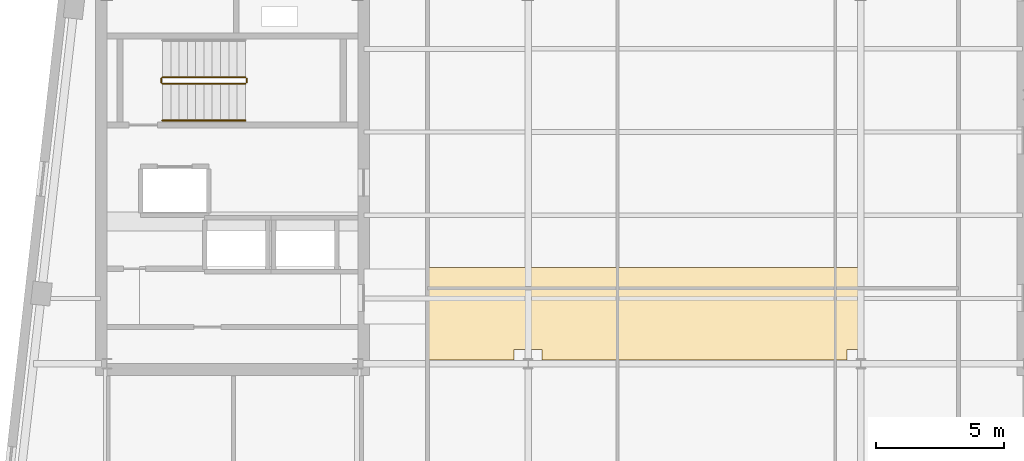
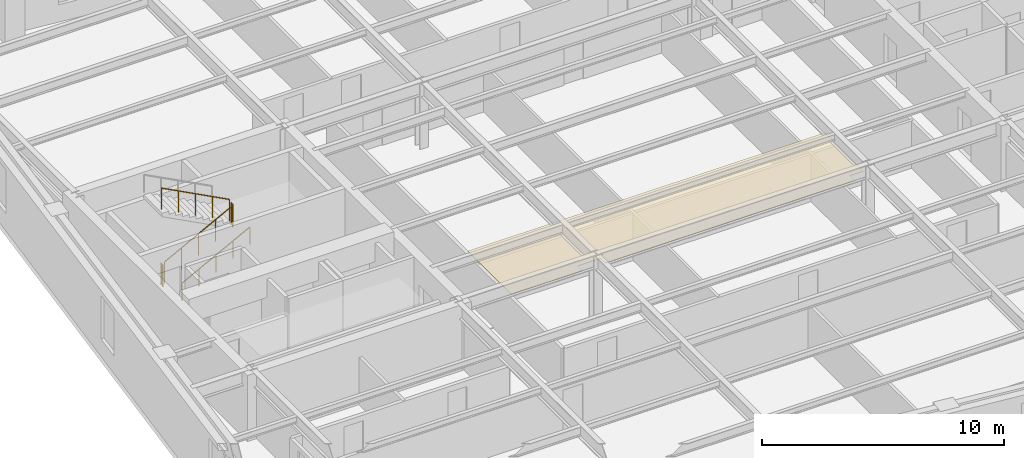
# One storey, part 11 of 13: 5 railings, 1 covering.
"""IFC4 building model written with IfcOpenShell, lengths in metres."""

from ifc_helpers import new_model, si_unit, direction, frame, origin, origin_2d, place, context, subcontext, project, spatial, polyline, circle, outline, extrude, material, layer, layer_set, type_object, element, save


model = new_model("IFC4")

# Units and contexts
model_context = context("Model", 3, precision=1e-05, world=origin(), true_north=direction((0.0, 1.0)))
body_context = subcontext(model_context, "Body", "Model", "MODEL_VIEW")
ifc_project = project(units=[si_unit("LENGTHUNIT", "METRE"), si_unit("AREAUNIT", "SQUARE_METRE"), si_unit("VOLUMEUNIT", "CUBIC_METRE"), si_unit("PLANEANGLEUNIT", "RADIAN"), si_unit("MASSUNIT", "GRAM", prefix="KILO")], contexts=[model_context])

# Site, building, storey
site_placement = place(None, origin())
site = spatial("IfcSite", under=ifc_project, at=site_placement, CompositionType="ELEMENT")
building_placement = place(site_placement, origin())
building = spatial("IfcBuilding", under=site, at=building_placement, Name="Kolvaren Arena Tower", CompositionType="ELEMENT")
storey_placement = place(building_placement, frame((0.0, 0.0, 265.949951171875)))
storey = spatial("IfcBuildingStorey", under=building, at=storey_placement, Name="L65", CompositionType="ELEMENT", Elevation=265.949951171875)

# Covering
ifc_material_1 = material(Name="Mineral fibre acoustic ceiling tile", Category="gypsum")
ifc_layer = layer(ifc_material_1, 0.02490234375)
ifc_layer_set = layer_set([ifc_layer], Name="Mineral fibre acoustic ceiling tile")
covering_type = type_object("IfcCoveringType", Name="CEIL-ACT-1", PredefinedType="CEILING", material=ifc_layer_set)
covering_placement = place(storey_placement, frame((0.0, 0.0, 2.52001953125)))
element("IfcCovering", 1, at=covering_placement, inside=storey, type_object=covering_type, Name="Suspended Ceiling (L65)", PredefinedType="CEILING", context=body_context, shape_type="SweptSolid", body=[
    extrude(outline(polyline([(27.050048828125, 19.60009765625), (27.050048828125, 23.199951171875), (44.10009765625, 23.199951171875), (44.10009765625, 20.0), (43.449951171875, 20.0), (43.449951171875, 19.60009765625), (31.550048828125, 19.60009765625), (31.550048828125, 20.0), (30.449951171875, 20.0), (30.449951171875, 19.60009765625), (27.050048828125, 19.60009765625)])), origin(), (0.0, 0.0, 1.0), 0.025146484375),
])

# Railings
ifc_material_2 = material(Name="Painted galvanized steel", Category="steel")
railing_type_1 = type_object("IfcRailingType", Name="GUARD-ST-110", PredefinedType="GUARDRAIL", material=ifc_material_2)
railing_1_placement = place(storey_placement, frame((16.719970703125, 30.389892578125, 0.17041015625)))
element("IfcRailing", 2, at=railing_1_placement, inside=storey, type_object=railing_type_1, Name="L65 ST-W1 stair guard 1", PredefinedType="GUARDRAIL", context=body_context, shape_type="SweptSolid", body=[
    extrude(circle(Radius=0.02392578125, at=origin_2d()), frame((0.0, 0.0, 1.076171875), z_axis=(0.884993431791, 0.0, 0.465603506952), x_axis=(0.0, 1.0, 0.0)), (0.0, 0.0, 1.0), 3.6611328125),
    extrude(circle(Radius=0.02099609375, at=origin_2d()), origin(), (0.0, 0.0, 1.0), 1.052001953125),
    extrude(circle(Radius=0.02099609375, at=origin_2d()), frame((0.81005859375, 0.0, 0.42626953125)), (0.0, 0.0, 1.0), 1.052001953125),
    extrude(circle(Radius=0.02099609375, at=origin_2d()), frame((1.6201171875, 0.0, 0.852294921875)), (0.0, 0.0, 1.0), 1.052001953125),
    extrude(circle(Radius=0.02099609375, at=origin_2d()), frame((2.429931640625, 0.0, 1.2783203125)), (0.0, 0.0, 1.0), 1.052001953125),
    extrude(circle(Radius=0.02099609375, at=origin_2d()), frame((3.239990234375, 0.0, 1.70458984375)), (0.0, 0.0, 1.0), 1.052001953125),
])
railing_2_placement = place(storey_placement, frame((20.010009765625, 30.43994140625, 1.875)))
element("IfcRailing", 3, at=railing_2_placement, inside=storey, type_object=railing_type_1, Name="L65 ST-W1 stair guard 2", PredefinedType="GUARDRAIL", context=body_context, shape_type="SweptSolid", body=[
    extrude(circle(Radius=0.02392578125, at=origin_2d()), frame((0.0, 0.0, 1.076171875), z_axis=(0.0, 1.0, 0.0), x_axis=(-1.0, 0.0, 0.0)), (0.0, 0.0, 1.0), 0.150146484375),
    extrude(circle(Radius=0.02099609375, at=origin_2d()), origin(), (0.0, 0.0, 1.0), 1.052001953125),
    extrude(circle(Radius=0.02099609375, at=origin_2d()), frame((0.0, 0.150146484375, 0.0)), (0.0, 0.0, 1.0), 1.052001953125),
])
railing_3_placement = place(storey_placement, frame((19.9599609375, 30.639892578125, 2.04541015625)))
element("IfcRailing", 4, at=railing_3_placement, inside=storey, type_object=railing_type_1, Name="L65 ST-W1 stair guard 3", PredefinedType="GUARDRAIL", context=body_context, shape_type="SweptSolid", body=[
    extrude(circle(Radius=0.02392578125, at=origin_2d()), frame((0.0, 0.0, 1.076171875), z_axis=(-0.884993431791, 0.0, 0.465603506952), x_axis=(0.0, -1.0, 0.0)), (0.0, 0.0, 1.0), 3.6611328125),
    extrude(circle(Radius=0.02099609375, at=origin_2d()), origin(), (0.0, 0.0, 1.0), 1.052001953125),
    extrude(circle(Radius=0.02099609375, at=origin_2d()), frame((-0.81005859375, 0.0, 0.42626953125)), (0.0, 0.0, 1.0), 1.052001953125),
    extrude(circle(Radius=0.02099609375, at=origin_2d()), frame((-1.6201171875, 0.0, 0.852294921875)), (0.0, 0.0, 1.0), 1.052001953125),
    extrude(circle(Radius=0.02099609375, at=origin_2d()), frame((-2.429931640625, 0.0, 1.2783203125)), (0.0, 0.0, 1.0), 1.052001953125),
    extrude(circle(Radius=0.02099609375, at=origin_2d()), frame((-3.239990234375, 0.0, 1.70458984375)), (0.0, 0.0, 1.0), 1.052001953125),
])
railing_4_placement = place(storey_placement, frame((16.669921875, 30.43994140625, 0.0)))
element("IfcRailing", 5, at=railing_4_placement, inside=storey, type_object=railing_type_1, Name="L65 ST-W1 stair guard 4", PredefinedType="GUARDRAIL", context=body_context, shape_type="SweptSolid", body=[
    extrude(circle(Radius=0.02392578125, at=origin_2d()), frame((0.0, 0.0, 1.076171875), z_axis=(0.0, 1.0, 0.0), x_axis=(-1.0, 0.0, 0.0)), (0.0, 0.0, 1.0), 0.150146484375),
    extrude(circle(Radius=0.02099609375, at=origin_2d()), origin(), (0.0, 0.0, 1.0), 1.052001953125),
    extrude(circle(Radius=0.02099609375, at=origin_2d()), frame((0.0, 0.150146484375, 0.0)), (0.0, 0.0, 1.0), 1.052001953125),
])
ifc_material_3 = material(Name="Brushed stainless steel handrail", Category="steel")
railing_type_2 = type_object("IfcRailingType", Name="HRAIL-900", PredefinedType="HANDRAIL", material=ifc_material_3)
railing_5_placement = place(storey_placement, frame((16.719970703125, 28.949951171875, 0.17041015625)))
element("IfcRailing", 6, at=railing_5_placement, inside=storey, type_object=railing_type_2, Name="L65 ST-W1 stair handrail 1", PredefinedType="HANDRAIL", context=body_context, shape_type="SweptSolid", body=[
    extrude(circle(Radius=0.02392578125, at=origin_2d()), frame((0.0, 0.0, 0.8759765625), z_axis=(0.884993431791, 0.0, 0.465603506952), x_axis=(0.0, 1.0, 0.0)), (0.0, 0.0, 1.0), 3.6611328125),
    extrude(circle(Radius=0.02099609375, at=origin_2d()), origin(), (0.0, 0.0, 1.0), 0.851806640625),
    extrude(circle(Radius=0.02099609375, at=origin_2d()), frame((0.81005859375, 0.0, 0.42626953125)), (0.0, 0.0, 1.0), 0.851806640625),
    extrude(circle(Radius=0.02099609375, at=origin_2d()), frame((1.6201171875, 0.0, 0.852294921875)), (0.0, 0.0, 1.0), 0.851806640625),
    extrude(circle(Radius=0.02099609375, at=origin_2d()), frame((2.429931640625, 0.0, 1.2783203125)), (0.0, 0.0, 1.0), 0.851806640625),
    extrude(circle(Radius=0.02099609375, at=origin_2d()), frame((3.239990234375, 0.0, 1.70458984375)), (0.0, 0.0, 1.0), 0.851806640625),
])

save(model, "model.ifc")
